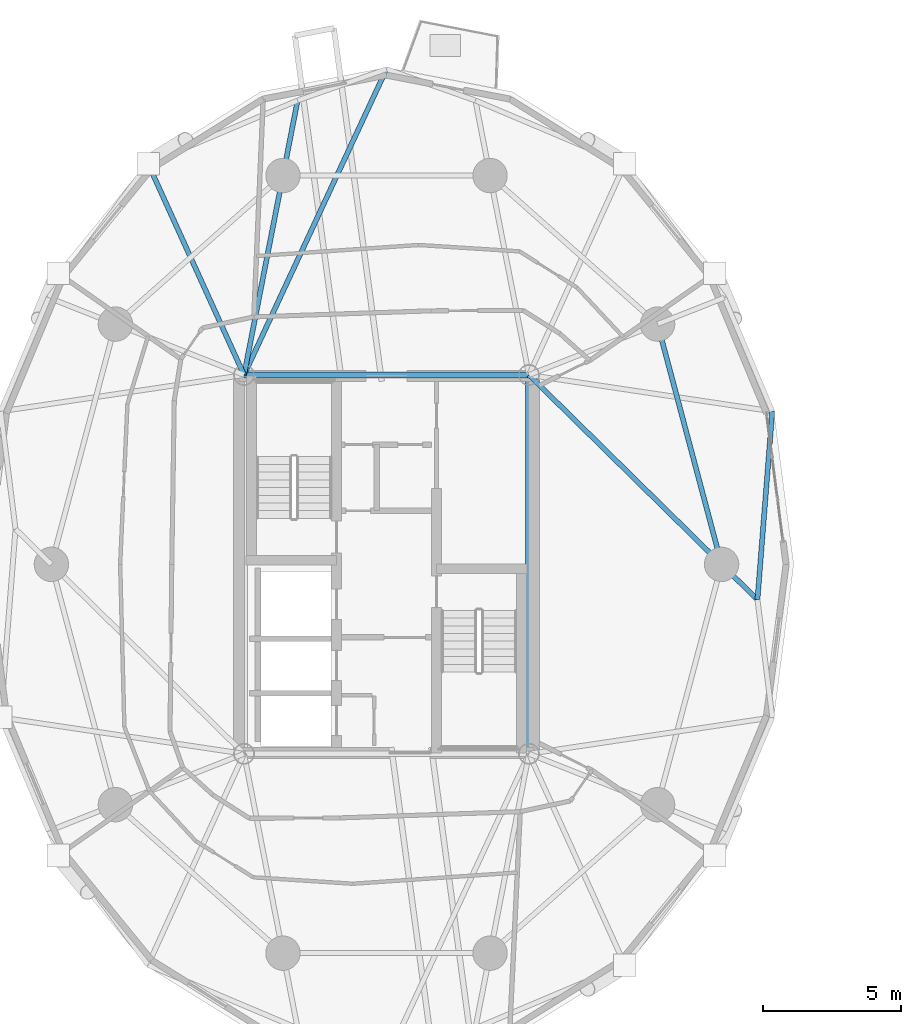
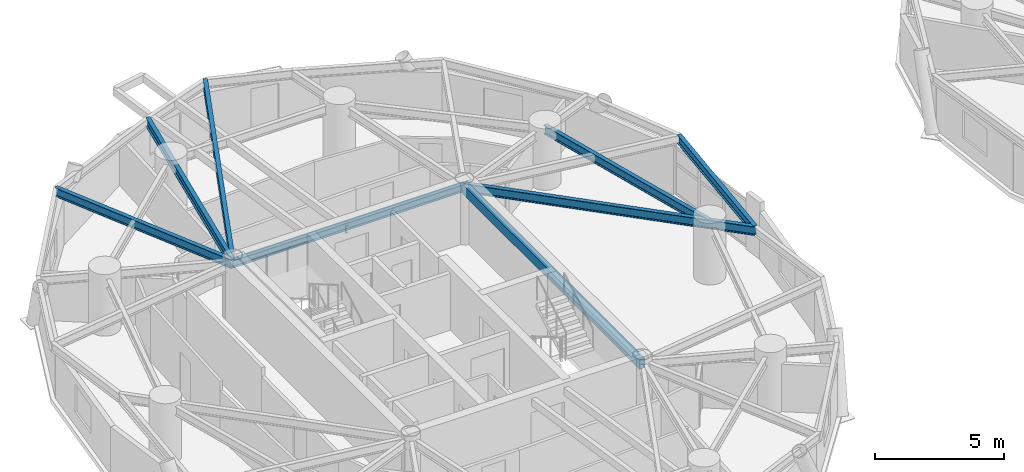
# One storey, part 2 of 19: 8 beams.
"""IFC4 building model written with IfcOpenShell, lengths in metres."""

from ifc_helpers import new_model, si_unit, direction, frame, origin, origin_2d, place, context, subcontext, project, spatial, hollow_rectangle, i_section, extrude, material, material_profile, profile_set, type_object, element, save


model = new_model("IFC4")

# Units and contexts
model_context = context("Model", 3, precision=1e-05, world=origin(), true_north=direction((0.0, 1.0)))
body_context = subcontext(model_context, "Body", "Model", "MODEL_VIEW")
ifc_project = project(units=[si_unit("LENGTHUNIT", "METRE"), si_unit("AREAUNIT", "SQUARE_METRE"), si_unit("VOLUMEUNIT", "CUBIC_METRE"), si_unit("PLANEANGLEUNIT", "RADIAN"), si_unit("MASSUNIT", "GRAM", prefix="KILO")], contexts=[model_context])

# Site, building, storey
site_placement = place(None, origin())
site = spatial("IfcSite", under=ifc_project, at=site_placement, CompositionType="ELEMENT")
building_placement = place(site_placement, origin())
building = spatial("IfcBuilding", under=site, at=building_placement, Name="Cununo Teusaquillo Station Towers", CompositionType="ELEMENT")
storey_placement = place(building_placement, frame((0.0, 0.0, 160.330078125)))
storey = spatial("IfcBuildingStorey", under=building, at=storey_placement, Name="L50", CompositionType="ELEMENT", Elevation=160.330078125)

# Beams
ifc_material_1 = material(Name="Steel EN 10025-2 S355J2", Category="steel")
ifc_material_profile_1 = material_profile(ifc_material_1, hollow_rectangle(XDim=0.25, YDim=0.449951171875, WallThickness=0.01611328125, at=origin_2d()), Name="RHS 450x250x16")
ifc_profile_set_1 = profile_set([ifc_material_profile_1], Name="Steel EN 10025-2 S355J2")
beam_type_1 = type_object("IfcBeamType", Name="BM-COUP-1", PredefinedType="USERDEFINED", material=ifc_profile_set_1)
beam_1_placement = place(storey_placement, frame((21.675048828125, 17.6201171875, 2.46484375), z_axis=(0.0, 1.0, 0.0), x_axis=(-1.0, 0.0, 0.0)))
element("IfcBeam", 1, at=beam_1_placement, inside=storey, type_object=beam_type_1, Name="L50 Tower A Core Beam 2", ObjectType="COUPLING BEAM", PredefinedType="USERDEFINED", context=body_context, shape_type="SweptSolid", body=[
    extrude(hollow_rectangle(XDim=0.25, YDim=0.449951171875, WallThickness=0.01611328125, at=origin_2d()), origin(), (0.0, 0.0, 1.0), 13.759765625),
])
ifc_material_2 = material(Name="Steel ASTM A572 Grade 50", Category="steel")
ifc_material_profile_2 = material_profile(ifc_material_2, i_section(OverallWidth=0.180908203125, OverallDepth=0.4169921875, WebThickness=0.010986328125, FlangeThickness=0.018310546875, FilletRadius=0.012939453125, at=origin_2d()), Name="W16X57")
ifc_profile_set_2 = profile_set([ifc_material_profile_2], Name="Steel ASTM A572 Grade 50")
beam_type_2 = type_object("IfcBeamType", Name="BM-JOIST-1", PredefinedType="JOIST", material=ifc_profile_set_2)
beam_2_placement = place(storey_placement, frame((11.324951171875, 31.3798828125, 2.4814453125), z_axis=(0.422237603969, 0.906485193368, 0.0), x_axis=(-0.906485193368, 0.422237603969, 0.0)))
element("IfcBeam", 2, at=beam_2_placement, inside=storey, type_object=beam_type_2, Name="L50 Tower A Radial Spandrel Joist V05", PredefinedType="JOIST", context=body_context, shape_type="SweptSolid", body=[
    extrude(i_section(OverallWidth=0.180908203125, OverallDepth=0.4169921875, WebThickness=0.010986328125, FlangeThickness=0.018310546875, FilletRadius=0.012939453125, at=origin_2d()), origin(), (0.0, 0.0, 1.0), 12.25634765625),
])
beam_3_placement = place(storey_placement, frame((11.324951171875, 31.3798828125, 2.4814453125), z_axis=(-0.413558514621, 0.910477542274, 0.0), x_axis=(-0.910477542274, -0.413558514621, 0.0)))
element("IfcBeam", 3, at=beam_3_placement, inside=storey, type_object=beam_type_2, Name="L50 Tower A Radial Spandrel Joist V07", PredefinedType="JOIST", context=body_context, shape_type="SweptSolid", body=[
    extrude(i_section(OverallWidth=0.180908203125, OverallDepth=0.4169921875, WebThickness=0.010986328125, FlangeThickness=0.018310546875, FilletRadius=0.012939453125, at=origin_2d()), origin(), (0.0, 0.0, 1.0), 8.428955078125),
])
ifc_material_3 = material(Name="Steel ASTM A572 Grade 50", Category="steel")
ifc_material_profile_3 = material_profile(ifc_material_3, i_section(OverallWidth=0.2041015625, OverallDepth=0.35009765625, WebThickness=0.008544921875, FlangeThickness=0.01513671875, FilletRadius=0.011962890625, at=origin_2d()), Name="W14X48")
ifc_profile_set_3 = profile_set([ifc_material_profile_3], Name="Steel ASTM A572 Grade 50")
beam_type_3 = type_object("IfcBeamType", Name="BM-LINTEL-1", PredefinedType="LINTEL", material=ifc_profile_set_3)
beam_4_placement = place(storey_placement, frame((11.324951171875, 31.3798828125, 2.514892578125), z_axis=(1.0, 0.0, 0.0), x_axis=(0.0, 1.0, 0.0)))
element("IfcBeam", 4, at=beam_4_placement, inside=storey, type_object=beam_type_3, Name="L50 Tower A Core Beam 4", PredefinedType="LINTEL", context=body_context, shape_type="SweptSolid", body=[
    extrude(i_section(OverallWidth=0.2041015625, OverallDepth=0.35009765625, WebThickness=0.008544921875, FlangeThickness=0.01513671875, FilletRadius=0.011962890625, at=origin_2d()), origin(), (0.0, 0.0, 1.0), 10.35009765625),
])
ifc_material_4 = material(Name="Steel ASTM A572 Grade 50", Category="steel")
ifc_material_profile_4 = material_profile(ifc_material_4, i_section(OverallWidth=0.180908203125, OverallDepth=0.4169921875, WebThickness=0.010986328125, FlangeThickness=0.018310546875, FilletRadius=0.012939453125, at=origin_2d()), Name="W16X57")
ifc_profile_set_4 = profile_set([ifc_material_profile_4], Name="Steel ASTM A572 Grade 50")
beam_type_4 = type_object("IfcBeamType", Name="BM-RAD-G2", PredefinedType="BEAM", material=ifc_profile_set_4)
beam_5_placement = place(storey_placement, frame((21.675048828125, 31.3798828125, 2.4814453125), z_axis=(0.71304866969, -0.701114537471, 0.0), x_axis=(0.701114537471, 0.71304866969, 0.0)))
element("IfcBeam", 5, at=beam_5_placement, inside=storey, type_object=beam_type_4, Name="L50 Tower A Continuous Overhanging Radial Girder 01", PredefinedType="BEAM", context=body_context, shape_type="SweptSolid", body=[
    extrude(i_section(OverallWidth=0.180908203125, OverallDepth=0.4169921875, WebThickness=0.010986328125, FlangeThickness=0.018310546875, FilletRadius=0.012939453125, at=origin_2d()), origin(), (0.0, 0.0, 1.0), 11.64013671875),
])
beam_6_placement = place(storey_placement, frame((11.324951171875, 31.3798828125, 2.4814453125), z_axis=(0.191552706487, 0.981482328235, 0.0), x_axis=(-0.981482328235, 0.191552706487, 0.0)))
element("IfcBeam", 6, at=beam_6_placement, inside=storey, type_object=beam_type_4, Name="L50 Tower A Continuous Overhanging Radial Girder 04", PredefinedType="BEAM", context=body_context, shape_type="SweptSolid", body=[
    extrude(i_section(OverallWidth=0.180908203125, OverallDepth=0.4169921875, WebThickness=0.010986328125, FlangeThickness=0.018310546875, FilletRadius=0.012939453125, at=origin_2d()), origin(), (0.0, 0.0, 1.0), 10.159423828125),
])
ifc_material_5 = material(Name="Steel ASTM A572 Grade 50", Category="steel")
ifc_material_profile_5 = material_profile(ifc_material_5, i_section(OverallWidth=0.180908203125, OverallDepth=0.4169921875, WebThickness=0.010986328125, FlangeThickness=0.018310546875, FilletRadius=0.012939453125, at=origin_2d()), Name="W16X57")
ifc_profile_set_5 = profile_set([ifc_material_profile_5], Name="Steel ASTM A572 Grade 50")
beam_type_5 = type_object("IfcBeamType", Name="BM-RING-Z3", PredefinedType="SPANDREL", material=ifc_profile_set_5)
beam_7_placement = place(storey_placement, frame((28.672119140625, 24.5, 2.4814453125), z_axis=(-0.257363196347, 0.966314744359, 0.0), x_axis=(-0.966314744359, -0.257363196347, 0.0)))
element("IfcBeam", 7, at=beam_7_placement, inside=storey, type_object=beam_type_5, Name="L50 Tower A Structural Column Ring Girder 01", PredefinedType="SPANDREL", context=body_context, shape_type="SweptSolid", body=[
    extrude(i_section(OverallWidth=0.180908203125, OverallDepth=0.4169921875, WebThickness=0.010986328125, FlangeThickness=0.018310546875, FilletRadius=0.012939453125, at=origin_2d()), origin(), (0.0, 0.0, 1.0), 9.03271484375),
])
beam_8_placement = place(storey_placement, frame((29.97509765625, 23.21875, 2.4814453125), z_axis=(0.078527541639, 0.996911944559, 0.0), x_axis=(-0.996911944559, 0.078527541639, 0.0)))
element("IfcBeam", 8, at=beam_8_placement, inside=storey, type_object=beam_type_5, Name="L50 Tower A Spandrel Ring Beam 01", PredefinedType="SPANDREL", context=body_context, shape_type="SweptSolid", body=[
    extrude(i_section(OverallWidth=0.180908203125, OverallDepth=0.4169921875, WebThickness=0.010986328125, FlangeThickness=0.018310546875, FilletRadius=0.012939453125, at=origin_2d()), origin(), (0.0, 0.0, 1.0), 6.861572265625),
])

save(model, "model.ifc")
